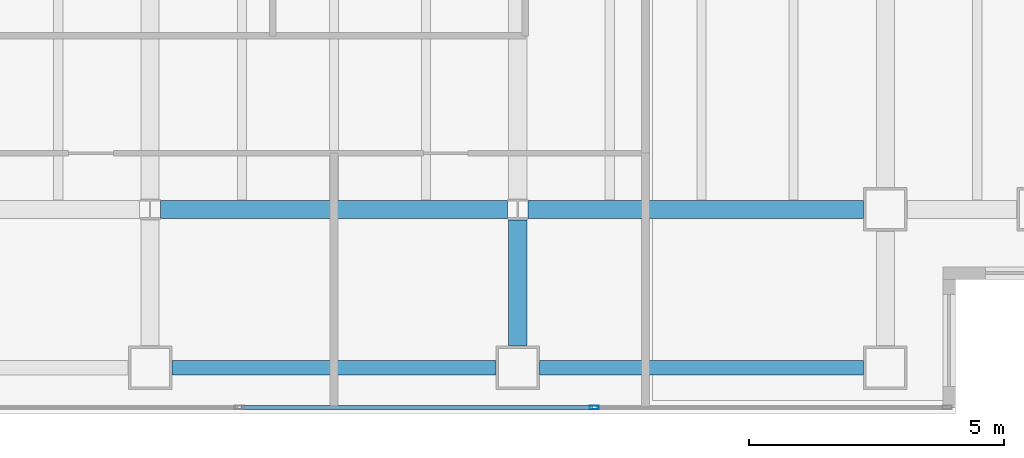
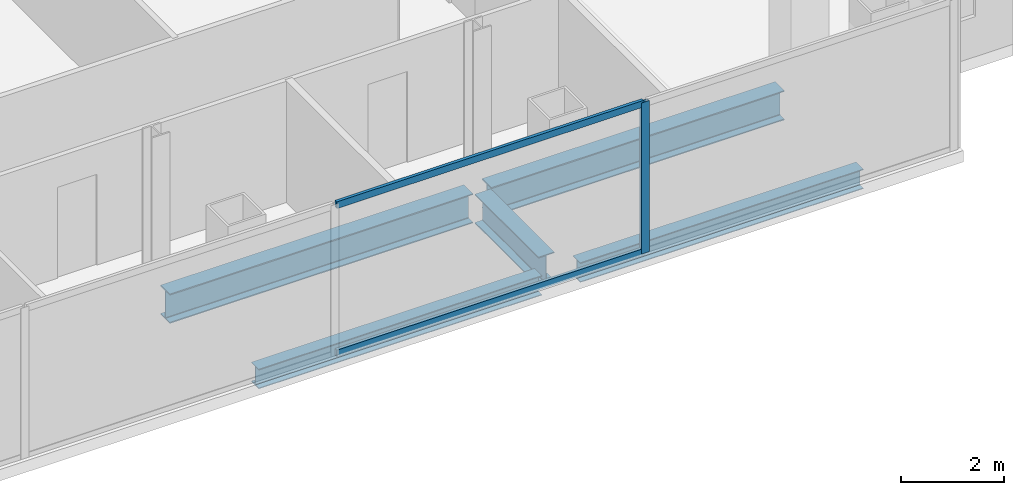
# One storey, part 9 of 24: 5 beams, 3 members, 1 element without a shape of its own.
"""IFC4 building model written with IfcOpenShell, lengths in metres."""

from ifc_helpers import new_model, si_unit, direction, frame, origin, origin_2d, place, context, subcontext, project, spatial, hollow_rectangle, i_section, extrude, material, material_profile, profile_set, type_object, element, aggregate, save


model = new_model("IFC4")

# Units and contexts
model_context = context("Model", 3, precision=1e-05, world=origin(), true_north=direction((0.0, 1.0)))
body_context = subcontext(model_context, "Body", "Model", "MODEL_VIEW")
ifc_project = project(units=[si_unit("LENGTHUNIT", "METRE"), si_unit("AREAUNIT", "SQUARE_METRE"), si_unit("VOLUMEUNIT", "CUBIC_METRE"), si_unit("PLANEANGLEUNIT", "RADIAN"), si_unit("MASSUNIT", "GRAM", prefix="KILO")], contexts=[model_context])

# Site, building, storey
site_placement = place(None, origin())
site = spatial("IfcSite", under=ifc_project, at=site_placement, CompositionType="ELEMENT")
building_placement = place(site_placement, origin())
building = spatial("IfcBuilding", under=site, at=building_placement, Name="Cobrela Telecom Tower", CompositionType="ELEMENT")
storey_placement = place(building_placement, frame((0.0, 0.0, 152.25)))
storey = spatial("IfcBuildingStorey", under=building, at=storey_placement, Name="L38", CompositionType="ELEMENT", Elevation=152.25)

# Beams
ifc_material_1 = material(Name="Steel ASTM A992 Grade 50", Category="steel")
ifc_material_profile_1 = material_profile(ifc_material_1, i_section(OverallWidth=0.35595703125, OverallDepth=0.696044921875, WebThickness=0.015380859375, FlangeThickness=0.024658203125, FilletRadius=0.01806640625, at=origin_2d()), Name="W27X146")
ifc_profile_set_1 = profile_set([ifc_material_profile_1], Name="Steel ASTM A992 Grade 50")
beam_type_1 = type_object("IfcBeamType", Name="BM-GIRD-05", PredefinedType="USERDEFINED", material=ifc_profile_set_1)
beam_1_placement = place(storey_placement, frame((29.00439453125, 7.199951171875, -0.617919921875), z_axis=(1.0, 0.0, 0.0), x_axis=(0.0, 1.0, 0.0)))
element("IfcBeam", 1, at=beam_1_placement, inside=storey, type_object=beam_type_1, Name="L38 Primary Girder X10", ObjectType="GIRDER", PredefinedType="USERDEFINED", context=body_context, shape_type="SweptSolid", body=[
    extrude(i_section(OverallWidth=0.35595703125, OverallDepth=0.696044921875, WebThickness=0.015380859375, FlangeThickness=0.024658203125, FilletRadius=0.01806640625, at=origin_2d()), origin(), (0.0, 0.0, 1.0), 6.791015625),
])
beam_2_placement = place(storey_placement, frame((36.20458984375, 7.199951171875, -0.617919921875), z_axis=(1.0, 0.0, 0.0), x_axis=(0.0, 1.0, 0.0)))
element("IfcBeam", 2, at=beam_2_placement, inside=storey, type_object=beam_type_1, Name="L38 Primary Girder X11", ObjectType="GIRDER", PredefinedType="USERDEFINED", context=body_context, shape_type="SweptSolid", body=[
    extrude(i_section(OverallWidth=0.35595703125, OverallDepth=0.696044921875, WebThickness=0.015380859375, FlangeThickness=0.024658203125, FilletRadius=0.01806640625, at=origin_2d()), origin(), (0.0, 0.0, 1.0), 6.5654296875),
])
beam_3_placement = place(storey_placement, frame((36.0, 4.530029296875, -0.617919921875), z_axis=(0.0, 1.0, 0.0), x_axis=(-1.0, 0.0, 0.0)))
element("IfcBeam", 3, at=beam_3_placement, inside=storey, type_object=beam_type_1, Name="L38 Primary Girder Y49", ObjectType="GIRDER", PredefinedType="USERDEFINED", context=body_context, shape_type="SweptSolid", body=[
    extrude(i_section(OverallWidth=0.35595703125, OverallDepth=0.696044921875, WebThickness=0.015380859375, FlangeThickness=0.024658203125, FilletRadius=0.01806640625, at=origin_2d()), origin(), (0.0, 0.0, 1.0), 2.465576171875),
])
ifc_material_profile_2 = material_profile(ifc_material_1, i_section(OverallWidth=0.281982421875, OverallDepth=0.467041015625, WebThickness=0.01220703125, FlangeThickness=0.01953125, FilletRadius=0.012939453125, at=origin_2d()), Name="W18X86")
ifc_profile_set_2 = profile_set([ifc_material_profile_2], Name="Steel ASTM A992 Grade 50")
beam_type_2 = type_object("IfcBeamType", Name="BM-SPAND-04", PredefinedType="SPANDREL", material=ifc_profile_set_2)
for number, where, z_axis, x_axis, name in (
    (4, (29.22998046875, 4.10009765625, -0.50341796875), (1.0, 0.0, 0.0), (0.0, 1.0, 0.0), "L38 Perimeter Spandrel X04"),
    (5, (36.429931640625, 4.10009765625, -0.50341796875), (1.0, 0.0, 0.0), (0.0, 1.0, 0.0), "L38 Perimeter Spandrel X05"),
):
    element("IfcBeam", number, at=place(storey_placement, frame(where, z_axis=z_axis, x_axis=x_axis)), inside=storey, type_object=beam_type_2, Name=name, PredefinedType="SPANDREL", context=body_context, shape_type="SweptSolid", body=[
        extrude(i_section(OverallWidth=0.281982421875, OverallDepth=0.467041015625, WebThickness=0.01220703125, FlangeThickness=0.01953125, FilletRadius=0.012939453125, at=origin_2d()), origin(), (0.0, 0.0, 1.0), 6.340087890625),
    ])

# Curtain wall, members
ifc_material_2 = material(Name="Anodized Bronze Aluminium 6063-T6", Category="aluminium")
curtain_wall_type = type_object("IfcCurtainWallType", Name="CW-SYS-TEL", PredefinedType="USERDEFINED", material=ifc_material_2)
curtain_wall_placement = place(storey_placement, origin())
curtain_wall = element("IfcCurtainWall", 6, at=curtain_wall_placement, inside=storey, type_object=curtain_wall_type, Name="L38 Unitised Bronze Curtain Wall 17", ObjectType="UNITISED CURTAIN WALL", PredefinedType="USERDEFINED")
ifc_material_profile_3 = material_profile(ifc_material_2, hollow_rectangle(XDim=0.074951171875, YDim=0.179931640625, WallThickness=0.00390625, at=origin_2d()), Name="ALU 75x180x4")
ifc_profile_set_3 = profile_set([ifc_material_profile_3], Name="Anodized Bronze Aluminium 6063-T6")
member_type_1 = type_object("IfcMemberType", Name="CW-SYS-TEL-MUL", PredefinedType="MULLION", material=ifc_profile_set_3)
member_1_placement = place(storey_placement, frame((37.5, 3.320068359375, 0.0), z_axis=(0.0, 0.0, 1.0), x_axis=(0.0, -1.0, 0.0)))
member_1 = element("IfcMember", 7, at=member_1_placement, type_object=member_type_1, Name="CW-TEL mullion 2", PredefinedType="MULLION", context=body_context, shape_type="SweptSolid", body=[
    extrude(hollow_rectangle(XDim=0.074951171875, YDim=0.179931640625, WallThickness=0.00390625, at=origin_2d()), origin(), (0.0, 0.0, 1.0), 3.580078125),
])
ifc_material_profile_4 = material_profile(ifc_material_2, hollow_rectangle(XDim=0.070068359375, YDim=0.159912109375, WallThickness=0.00390625, at=origin_2d()), Name="ALU 70x160x4")
ifc_profile_set_4 = profile_set([ifc_material_profile_4], Name="Anodized Bronze Aluminium 6063-T6")
member_type_2 = type_object("IfcMemberType", Name="CW-SYS-TEL-TRN", PredefinedType="USERDEFINED", material=ifc_profile_set_4)
member_2_placement = place(storey_placement, frame((37.46240234375, 3.320068359375, 0.034912109375), z_axis=(-1.0, 0.0, 0.0), x_axis=(0.0, -1.0, 0.0)))
member_2 = element("IfcMember", 8, at=member_2_placement, type_object=member_type_2, Name="CW-TEL transom 2.1", ObjectType="TRANSOM", PredefinedType="USERDEFINED", context=body_context, shape_type="SweptSolid", body=[
    extrude(hollow_rectangle(XDim=0.070068359375, YDim=0.159912109375, WallThickness=0.00390625, at=origin_2d()), origin(), (0.0, 0.0, 1.0), 6.875),
])
member_3_placement = place(storey_placement, frame((37.46240234375, 3.320068359375, 3.544921875), z_axis=(-1.0, 0.0, 0.0), x_axis=(0.0, -1.0, 0.0)))
member_3 = element("IfcMember", 9, at=member_3_placement, type_object=member_type_2, Name="CW-TEL transom 2.2", ObjectType="TRANSOM", PredefinedType="USERDEFINED", context=body_context, shape_type="SweptSolid", body=[
    extrude(hollow_rectangle(XDim=0.070068359375, YDim=0.159912109375, WallThickness=0.00390625, at=origin_2d()), origin(), (0.0, 0.0, 1.0), 6.875),
])
aggregate(curtain_wall, [member_1, member_2, member_3])

save(model, "model.ifc")
